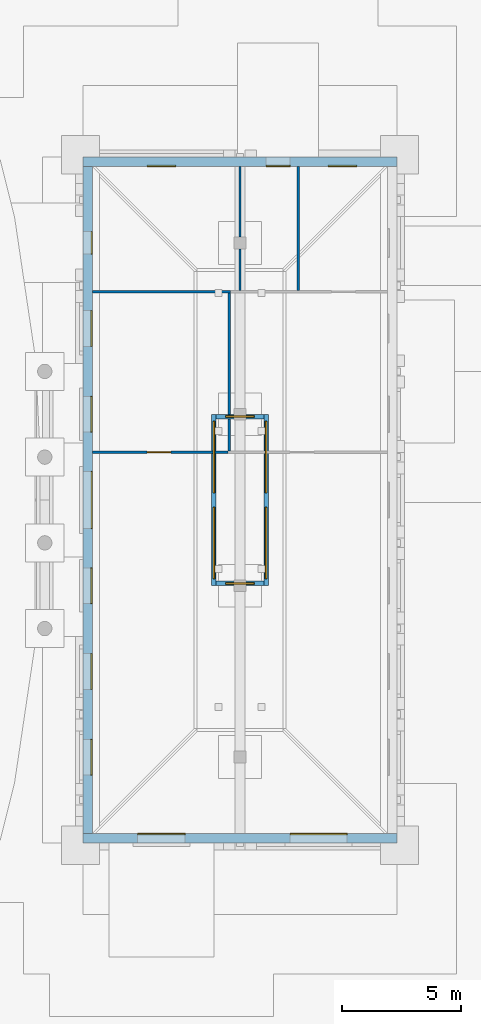
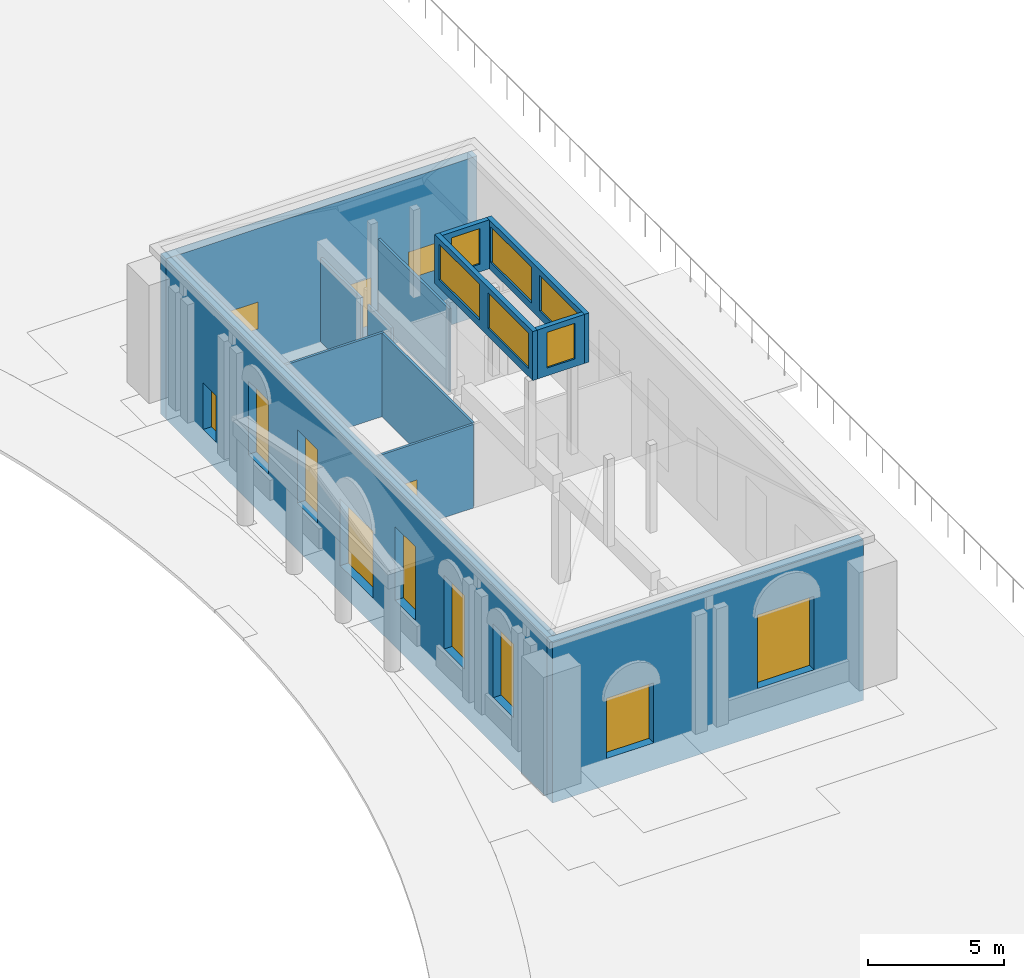
# One storey, part 96 of 131: 14 windows, 13 walls, 5 doors, 19 openings.
"""IFC4 building model written with IfcOpenShell, lengths in metres."""

from ifc_helpers import new_model, si_unit, direction, frame, frame_2d, origin, place, context, subcontext, project, spatial, rectangle, extrude, material, layer, layer_set, type_object, element, fill, save


model = new_model("IFC4")

# Units and contexts
model_context = context("Model", 3, precision=1e-05, world=origin(), true_north=direction((0.0, 1.0)))
body_context = subcontext(model_context, "Body", "Model", "MODEL_VIEW")
ifc_project = project(units=[si_unit("LENGTHUNIT", "METRE"), si_unit("AREAUNIT", "SQUARE_METRE"), si_unit("VOLUMEUNIT", "CUBIC_METRE"), si_unit("PLANEANGLEUNIT", "RADIAN"), si_unit("MASSUNIT", "GRAM", prefix="KILO")], contexts=[model_context])

# Site, building, storey
site_placement = place(None, origin())
site = spatial("IfcSite", under=ifc_project, at=site_placement, CompositionType="ELEMENT")
building_placement = place(site_placement, origin())
building = spatial("IfcBuilding", under=site, at=building_placement, Name="Alderwick Market Hall", CompositionType="ELEMENT")
storey_placement = place(building_placement, frame((0.0, 0.0, 4.800048828125)))
storey = spatial("IfcBuildingStorey", under=building, at=storey_placement, Name="L00", CompositionType="ELEMENT", Elevation=4.800048828125)

# Wall, openings, door, window
ifc_material_1 = material(Name="Concrete 5000 psi (f'c 35 MPa)", Category="concrete")
ifc_layer_1 = layer(ifc_material_1, 0.39990234375)
ifc_layer_set_1 = layer_set([ifc_layer_1], Name="Concrete 5000 psi (f'c 35 MPa)")
wall_type_1 = type_object("IfcWallType", Name="G Exterior wall 400", PredefinedType="SOLIDWALL", material=ifc_layer_set_1)
wall_1_placement = place(storey_placement, frame((214.800048828125, 65.0, -1.199951171875), z_axis=(0.0, 0.0, 1.0), x_axis=(1.0, 0.0, 0.0)))
wall_1 = element("IfcWall", 1, at=wall_1_placement, inside=storey, type_object=wall_type_1, Name="Exterior wall S", PredefinedType="SOLIDWALL", context=body_context, shape_type="SweptSolid", body=[
    extrude(rectangle(XDim=13.199951171875, YDim=0.39990234375, at=frame_2d((6.60009765625, 0.0))), origin(), (0.0, 0.0, 1.0), 7.199951171875),
])
opening_1_placement = place(wall_1_placement, frame((2.300048828125, 0.0, 1.199951171875)))
opening_1 = element("IfcOpeningElement", 2, at=opening_1_placement, cuts=wall_1, Name="Opening G-D002", PredefinedType="OPENING", context=body_context, shape_type="SweptSolid", body=[
    extrude(rectangle(XDim=2.0, YDim=2.699951171875, at=frame_2d((1.0, 1.35009765625))), frame((0.0, 0.2099609375, 0.0), z_axis=(0.0, -1.0, 0.0), x_axis=(1.0, 0.0, 0.0)), (0.0, 0.0, 1.0), 0.419921875),
])
opening_2_placement = place(wall_1_placement, frame((8.699951171875, 0.0, 2.10009765625)))
opening_2 = element("IfcOpeningElement", 3, at=opening_2_placement, cuts=wall_1, Name="Opening G-W012", PredefinedType="OPENING", context=body_context, shape_type="SweptSolid", body=[
    extrude(rectangle(XDim=2.39990234375, YDim=3.300048828125, at=frame_2d((1.199951171875, 1.64990234375))), frame((0.0, 0.2099609375, 0.0), z_axis=(0.0, -1.0, 0.0), x_axis=(1.0, 0.0, 0.0)), (0.0, 0.0, 1.0), 0.419921875),
])
ifc_material_2 = material(Name="Bronze-finished aluminium and glass", Category="aluminium")
door_type_1 = type_object("IfcDoorType", Name="G Entrance door 2000x2700", OperationType="DOUBLE_DOOR_SINGLE_SWING", PredefinedType="DOOR", material=ifc_material_2)
door_1_placement = place(opening_1_placement, origin())
door_1 = element("IfcDoor", 4, at=door_1_placement, inside=storey, type_object=door_type_1, Name="Door G-D002", OperationType="DOUBLE_DOOR_SINGLE_SWING", OverallHeight=2.699951171875, OverallWidth=2.0, PredefinedType="DOOR", context=body_context, shape_type="SweptSolid", body=[
    extrude(rectangle(XDim=2.0, YDim=2.699951171875, at=frame_2d((1.0, 1.35009765625))), frame((0.0, 0.2001953125, 0.0), z_axis=(0.0, -1.0, 0.0), x_axis=(1.0, 0.0, 0.0)), (0.0, 0.0, 1.0), 0.050048828125),
])
fill(opening_1, door_1)
ifc_material_3 = material(Name="Aluminium frame with insulated glass", Category="aluminium")
window_type_1 = type_object("IfcWindowType", Name="G Window 2400x3300", PartitioningType="SINGLE_PANEL", PredefinedType="WINDOW", material=ifc_material_3)
window_1_placement = place(opening_2_placement, origin())
window_1 = element("IfcWindow", 5, at=window_1_placement, inside=storey, type_object=window_type_1, Name="Window G-W012", OverallHeight=3.300048828125, OverallWidth=2.39990234375, PartitioningType="SINGLE_PANEL", PredefinedType="WINDOW", context=body_context, shape_type="SweptSolid", body=[
    extrude(rectangle(XDim=2.39990234375, YDim=3.300048828125, at=frame_2d((1.199951171875, 1.64990234375))), frame((0.0, 0.199951171875, 0.0), z_axis=(0.0, -1.0, 0.0), x_axis=(1.0, 0.0, 0.0)), (0.0, 0.0, 1.0), 0.06005859375),
])
fill(opening_2, window_1)

# Wall, openings, door, windows
wall_2_placement = place(storey_placement, frame((214.800048828125, 93.39990234375, -1.199951171875), z_axis=(0.0, 0.0, 1.0), x_axis=(1.0, 0.0, 0.0)))
wall_2 = element("IfcWall", 6, at=wall_2_placement, inside=storey, type_object=wall_type_1, Name="Exterior wall N", PredefinedType="SOLIDWALL", context=body_context, shape_type="SweptSolid", body=[
    extrude(rectangle(XDim=13.199951171875, YDim=0.39990234375, at=frame_2d((6.60009765625, 0.0))), origin(), (0.0, 0.0, 1.0), 7.199951171875),
])
opening_3_placement = place(wall_2_placement, frame((7.699951171875, 0.0, 1.199951171875)))
opening_3 = element("IfcOpeningElement", 7, at=opening_3_placement, cuts=wall_2, Name="Opening G-D005", PredefinedType="OPENING", context=body_context, shape_type="SweptSolid", body=[
    extrude(rectangle(XDim=1.0, YDim=2.10009765625, at=frame_2d((0.5, 1.050048828125))), frame((0.0, 0.2099609375, 0.0), z_axis=(0.0, -1.0, 0.0), x_axis=(1.0, 0.0, 0.0)), (0.0, 0.0, 1.0), 0.419921875),
])
opening_4_placement = place(wall_2_placement, frame((2.699951171875, 0.0, 2.699951171875)))
opening_4 = element("IfcOpeningElement", 8, at=opening_4_placement, cuts=wall_2, Name="Opening G-W013", PredefinedType="OPENING", context=body_context, shape_type="SweptSolid", body=[
    extrude(rectangle(XDim=1.199951171875, YDim=1.199951171875, at=frame_2d((0.60009765625, 0.60009765625))), frame((0.0, 0.2099609375, 0.0), z_axis=(0.0, -1.0, 0.0), x_axis=(1.0, 0.0, 0.0)), (0.0, 0.0, 1.0), 0.419921875),
])
opening_5_placement = place(wall_2_placement, frame((10.300048828125, 0.0, 2.699951171875)))
opening_5 = element("IfcOpeningElement", 9, at=opening_5_placement, cuts=wall_2, Name="Opening G-W014", PredefinedType="OPENING", context=body_context, shape_type="SweptSolid", body=[
    extrude(rectangle(XDim=1.199951171875, YDim=1.199951171875, at=frame_2d((0.60009765625, 0.60009765625))), frame((0.0, 0.2099609375, 0.0), z_axis=(0.0, -1.0, 0.0), x_axis=(1.0, 0.0, 0.0)), (0.0, 0.0, 1.0), 0.419921875),
])
ifc_material_4 = material(Name="Timber, solid core", Category="wood")
door_type_2 = type_object("IfcDoorType", Name="G Accessible WC door 1000x2100", OperationType="SINGLE_SWING_LEFT", PredefinedType="DOOR", material=ifc_material_4)
door_2_placement = place(opening_3_placement, origin())
door_2 = element("IfcDoor", 10, at=door_2_placement, inside=storey, type_object=door_type_2, Name="Door G-D005", OperationType="SINGLE_SWING_LEFT", OverallHeight=2.10009765625, OverallWidth=1.0, PredefinedType="DOOR", context=body_context, shape_type="SweptSolid", body=[
    extrude(rectangle(XDim=1.0, YDim=2.10009765625, at=frame_2d((0.5, 1.050048828125))), frame((0.0, -0.14990234375, 0.0), z_axis=(0.0, -1.0, 0.0), x_axis=(1.0, 0.0, 0.0)), (0.0, 0.0, 1.0), 0.050048828125),
])
fill(opening_3, door_2)
window_type_2 = type_object("IfcWindowType", Name="G Window 1200x1200", PartitioningType="SINGLE_PANEL", PredefinedType="WINDOW", material=ifc_material_3)
window_2_placement = place(opening_4_placement, origin())
window_2 = element("IfcWindow", 11, at=window_2_placement, inside=storey, type_object=window_type_2, Name="Window G-W013", OverallHeight=1.199951171875, OverallWidth=1.199951171875, PartitioningType="SINGLE_PANEL", PredefinedType="WINDOW", context=body_context, shape_type="SweptSolid", body=[
    extrude(rectangle(XDim=1.199951171875, YDim=1.199951171875, at=frame_2d((0.60009765625, 0.60009765625))), frame((0.0, -0.139892578125, 0.0), z_axis=(0.0, -1.0, 0.0), x_axis=(1.0, 0.0, 0.0)), (0.0, 0.0, 1.0), 0.06005859375),
])
fill(opening_4, window_2)
window_3_placement = place(opening_5_placement, origin())
window_3 = element("IfcWindow", 12, at=window_3_placement, inside=storey, type_object=window_type_2, Name="Window G-W014", OverallHeight=1.199951171875, OverallWidth=1.199951171875, PartitioningType="SINGLE_PANEL", PredefinedType="WINDOW", context=body_context, shape_type="SweptSolid", body=[
    extrude(rectangle(XDim=1.199951171875, YDim=1.199951171875, at=frame_2d((0.60009765625, 0.60009765625))), frame((0.0, -0.139892578125, 0.0), z_axis=(0.0, -1.0, 0.0), x_axis=(1.0, 0.0, 0.0)), (0.0, 0.0, 1.0), 0.06005859375),
])
fill(opening_5, window_3)

# Wall, openings, doors, windows
wall_3_placement = place(storey_placement, frame((215.0, 65.199951171875, -1.199951171875), z_axis=(0.0, 0.0, 1.0), x_axis=(0.0, 1.0, 0.0)))
wall_3 = element("IfcWall", 13, at=wall_3_placement, inside=storey, type_object=wall_type_1, Name="Exterior wall W", PredefinedType="SOLIDWALL", context=body_context, shape_type="SweptSolid", body=[
    extrude(rectangle(XDim=28.0, YDim=0.39990234375, at=frame_2d((14.0, 0.0))), origin(), (0.0, 0.0, 1.0), 7.199951171875),
])
opening_6_placement = place(wall_3_placement, frame((12.800048828125, 0.0, 1.199951171875)))
opening_6 = element("IfcOpeningElement", 14, at=opening_6_placement, cuts=wall_3, Name="Opening G-D001", PredefinedType="OPENING", context=body_context, shape_type="SweptSolid", body=[
    extrude(rectangle(XDim=2.39990234375, YDim=3.0, at=frame_2d((1.199951171875, 1.5))), frame((0.0, 0.2099609375, 0.0), z_axis=(0.0, -1.0, 0.0), x_axis=(1.0, 0.0, 0.0)), (0.0, 0.0, 1.0), 0.419921875),
])
opening_7_placement = place(wall_3_placement, frame((24.324951171875, 0.0, 1.199951171875)))
opening_7 = element("IfcOpeningElement", 15, at=opening_7_placement, cuts=wall_3, Name="Opening G-D003", PredefinedType="OPENING", context=body_context, shape_type="SweptSolid", body=[
    extrude(rectangle(XDim=0.949951171875, YDim=2.10009765625, at=frame_2d((0.47509765625, 1.050048828125))), frame((0.0, 0.2099609375, 0.0), z_axis=(0.0, -1.0, 0.0), x_axis=(1.0, 0.0, 0.0)), (0.0, 0.0, 1.0), 0.419921875),
])
opening_8_placement = place(wall_3_placement, frame((2.449951171875, 0.0, 2.10009765625)))
opening_8 = element("IfcOpeningElement", 16, at=opening_8_placement, cuts=wall_3, Name="Opening G-W001", PredefinedType="OPENING", context=body_context, shape_type="SweptSolid", body=[
    extrude(rectangle(XDim=1.5, YDim=3.300048828125, at=frame_2d((0.75, 1.64990234375))), frame((0.0, 0.2099609375, 0.0), z_axis=(0.0, -1.0, 0.0), x_axis=(1.0, 0.0, 0.0)), (0.0, 0.0, 1.0), 0.419921875),
])
opening_9_placement = place(wall_3_placement, frame((6.050048828125, 0.0, 2.10009765625)))
opening_9 = element("IfcOpeningElement", 17, at=opening_9_placement, cuts=wall_3, Name="Opening G-W002", PredefinedType="OPENING", context=body_context, shape_type="SweptSolid", body=[
    extrude(rectangle(XDim=1.5, YDim=3.300048828125, at=frame_2d((0.75, 1.64990234375))), frame((0.0, 0.2099609375, 0.0), z_axis=(0.0, -1.0, 0.0), x_axis=(1.0, 0.0, 0.0)), (0.0, 0.0, 1.0), 0.419921875),
])
opening_10_placement = place(wall_3_placement, frame((9.64990234375, 0.0, 2.10009765625)))
opening_10 = element("IfcOpeningElement", 18, at=opening_10_placement, cuts=wall_3, Name="Opening G-W003", PredefinedType="OPENING", context=body_context, shape_type="SweptSolid", body=[
    extrude(rectangle(XDim=1.5, YDim=3.300048828125, at=frame_2d((0.75, 1.64990234375))), frame((0.0, 0.2099609375, 0.0), z_axis=(0.0, -1.0, 0.0), x_axis=(1.0, 0.0, 0.0)), (0.0, 0.0, 1.0), 0.419921875),
])
opening_11_placement = place(wall_3_placement, frame((16.85009765625, 0.0, 2.10009765625)))
opening_11 = element("IfcOpeningElement", 19, at=opening_11_placement, cuts=wall_3, Name="Opening G-W004", PredefinedType="OPENING", context=body_context, shape_type="SweptSolid", body=[
    extrude(rectangle(XDim=1.5, YDim=3.300048828125, at=frame_2d((0.75, 1.64990234375))), frame((0.0, 0.2099609375, 0.0), z_axis=(0.0, -1.0, 0.0), x_axis=(1.0, 0.0, 0.0)), (0.0, 0.0, 1.0), 0.419921875),
])
opening_12_placement = place(wall_3_placement, frame((20.449951171875, 0.0, 2.10009765625)))
opening_12 = element("IfcOpeningElement", 20, at=opening_12_placement, cuts=wall_3, Name="Opening G-W005", PredefinedType="OPENING", context=body_context, shape_type="SweptSolid", body=[
    extrude(rectangle(XDim=1.5, YDim=3.300048828125, at=frame_2d((0.75, 1.64990234375))), frame((0.0, 0.2099609375, 0.0), z_axis=(0.0, -1.0, 0.0), x_axis=(1.0, 0.0, 0.0)), (0.0, 0.0, 1.0), 0.419921875),
])
door_type_3 = type_object("IfcDoorType", Name="G Entrance door 2400x3000", OperationType="DOUBLE_DOOR_SINGLE_SWING", PredefinedType="DOOR", material=ifc_material_2)
door_3_placement = place(opening_6_placement, origin())
door_3 = element("IfcDoor", 21, at=door_3_placement, inside=storey, type_object=door_type_3, Name="Door G-D001", OperationType="DOUBLE_DOOR_SINGLE_SWING", OverallHeight=3.0, OverallWidth=2.39990234375, PredefinedType="DOOR", context=body_context, shape_type="SweptSolid", body=[
    extrude(rectangle(XDim=2.39990234375, YDim=3.0, at=frame_2d((1.199951171875, 1.5))), frame((0.0, -0.14990234375, 0.0), z_axis=(0.0, -1.0, 0.0), x_axis=(1.0, 0.0, 0.0)), (0.0, 0.0, 1.0), 0.050048828125),
])
fill(opening_6, door_3)
door_type_4 = type_object("IfcDoorType", Name="G WC door 950x2100", OperationType="SINGLE_SWING_LEFT", PredefinedType="DOOR", material=ifc_material_4)
door_4_placement = place(opening_7_placement, origin())
door_4 = element("IfcDoor", 22, at=door_4_placement, inside=storey, type_object=door_type_4, Name="Door G-D003", OperationType="SINGLE_SWING_LEFT", OverallHeight=2.10009765625, OverallWidth=0.949951171875, PredefinedType="DOOR", context=body_context, shape_type="SweptSolid", body=[
    extrude(rectangle(XDim=0.949951171875, YDim=2.10009765625, at=frame_2d((0.47509765625, 1.050048828125))), frame((0.0, -0.14990234375, 0.0), z_axis=(0.0, -1.0, 0.0), x_axis=(1.0, 0.0, 0.0)), (0.0, 0.0, 1.0), 0.050048828125),
])
fill(opening_7, door_4)
window_type_3 = type_object("IfcWindowType", Name="G Window 1500x3300", PartitioningType="SINGLE_PANEL", PredefinedType="WINDOW", material=ifc_material_3)
window_4_placement = place(opening_8_placement, origin())
window_4 = element("IfcWindow", 23, at=window_4_placement, inside=storey, type_object=window_type_3, Name="Window G-W001", OverallHeight=3.300048828125, OverallWidth=1.5, PartitioningType="SINGLE_PANEL", PredefinedType="WINDOW", context=body_context, shape_type="SweptSolid", body=[
    extrude(rectangle(XDim=1.5, YDim=3.300048828125, at=frame_2d((0.75, 1.64990234375))), frame((0.0, -0.139892578125, 0.0), z_axis=(0.0, -1.0, 0.0), x_axis=(1.0, 0.0, 0.0)), (0.0, 0.0, 1.0), 0.06005859375),
])
fill(opening_8, window_4)
window_5_placement = place(opening_9_placement, origin())
window_5 = element("IfcWindow", 24, at=window_5_placement, inside=storey, type_object=window_type_3, Name="Window G-W002", OverallHeight=3.300048828125, OverallWidth=1.5, PartitioningType="SINGLE_PANEL", PredefinedType="WINDOW", context=body_context, shape_type="SweptSolid", body=[
    extrude(rectangle(XDim=1.5, YDim=3.300048828125, at=frame_2d((0.75, 1.64990234375))), frame((0.0, -0.139892578125, 0.0), z_axis=(0.0, -1.0, 0.0), x_axis=(1.0, 0.0, 0.0)), (0.0, 0.0, 1.0), 0.06005859375),
])
fill(opening_9, window_5)
window_6_placement = place(opening_10_placement, origin())
window_6 = element("IfcWindow", 25, at=window_6_placement, inside=storey, type_object=window_type_3, Name="Window G-W003", OverallHeight=3.300048828125, OverallWidth=1.5, PartitioningType="SINGLE_PANEL", PredefinedType="WINDOW", context=body_context, shape_type="SweptSolid", body=[
    extrude(rectangle(XDim=1.5, YDim=3.300048828125, at=frame_2d((0.75, 1.64990234375))), frame((0.0, -0.139892578125, 0.0), z_axis=(0.0, -1.0, 0.0), x_axis=(1.0, 0.0, 0.0)), (0.0, 0.0, 1.0), 0.06005859375),
])
fill(opening_10, window_6)
window_7_placement = place(opening_11_placement, origin())
window_7 = element("IfcWindow", 26, at=window_7_placement, inside=storey, type_object=window_type_3, Name="Window G-W004", OverallHeight=3.300048828125, OverallWidth=1.5, PartitioningType="SINGLE_PANEL", PredefinedType="WINDOW", context=body_context, shape_type="SweptSolid", body=[
    extrude(rectangle(XDim=1.5, YDim=3.300048828125, at=frame_2d((0.75, 1.64990234375))), frame((0.0, -0.139892578125, 0.0), z_axis=(0.0, -1.0, 0.0), x_axis=(1.0, 0.0, 0.0)), (0.0, 0.0, 1.0), 0.06005859375),
])
fill(opening_11, window_7)
window_8_placement = place(opening_12_placement, origin())
window_8 = element("IfcWindow", 27, at=window_8_placement, inside=storey, type_object=window_type_3, Name="Window G-W005", OverallHeight=3.300048828125, OverallWidth=1.5, PartitioningType="SINGLE_PANEL", PredefinedType="WINDOW", context=body_context, shape_type="SweptSolid", body=[
    extrude(rectangle(XDim=1.5, YDim=3.300048828125, at=frame_2d((0.75, 1.64990234375))), frame((0.0, -0.139892578125, 0.0), z_axis=(0.0, -1.0, 0.0), x_axis=(1.0, 0.0, 0.0)), (0.0, 0.0, 1.0), 0.06005859375),
])
fill(opening_12, window_8)

# Walls
ifc_material_5 = material(Name="Gypsum board partition, fire-rated")
ifc_layer_2 = layer(ifc_material_5, 0.10009765625)
ifc_layer_set_2 = layer_set([ifc_layer_2], Name="Gypsum board partition, fire-rated")
wall_type_2 = type_object("IfcWallType", Name="G Fire-rated partition 100", PredefinedType="PARTITIONING", material=ifc_layer_set_2)
wall_4_placement = place(storey_placement, frame((220.949951171875, 81.25, 0.0), z_axis=(0.0, 0.0, 1.0), x_axis=(0.0, 1.0, 0.0)))
element("IfcWall", 28, at=wall_4_placement, inside=storey, type_object=wall_type_2, Name="Partition", PredefinedType="PARTITIONING", context=body_context, shape_type="SweptSolid", body=[
    extrude(rectangle(XDim=6.64990234375, YDim=0.10009765625, at=frame_2d((3.324951171875, 0.0))), origin(), (0.0, 0.0, 1.0), 3.75),
])
wall_5_placement = place(storey_placement, frame((223.85009765625, 88.0, 0.0), z_axis=(0.0, 0.0, 1.0), x_axis=(0.0, 1.0, 0.0)))
element("IfcWall", 29, at=wall_5_placement, inside=storey, type_object=wall_type_2, Name="Partition", PredefinedType="PARTITIONING", context=body_context, shape_type="SweptSolid", body=[
    extrude(rectangle(XDim=5.199951171875, YDim=0.10009765625, at=frame_2d((2.60009765625, 0.0))), origin(), (0.0, 0.0, 1.0), 3.75),
])

# Wall, openings, windows
ifc_layer_3 = layer(ifc_material_1, 0.199951171875)
ifc_layer_set_3 = layer_set([ifc_layer_3], Name="Concrete 5000 psi (f'c 35 MPa)")
wall_type_3 = type_object("IfcWallType", Name="G Lantern wall 200", PredefinedType="SOLIDWALL", material=ifc_layer_set_3)
wall_6_placement = place(storey_placement, frame((220.300048828125, 75.60009765625, 9.3212890625), z_axis=(0.0, 0.0, 1.0), x_axis=(0.0, 1.0, 0.0)))
wall_6 = element("IfcWall", 30, at=wall_6_placement, inside=storey, type_object=wall_type_3, Name="Lantern wall 1", PredefinedType="SOLIDWALL", context=body_context, shape_type="SweptSolid", body=[
    extrude(rectangle(XDim=7.199951171875, YDim=0.199951171875, at=frame_2d((3.60009765625, 0.0))), origin(), (0.0, 0.0, 1.0), 2.199951171875),
])
opening_13_placement = place(wall_6_placement, frame((0.300048828125, 0.0, 0.35009765625)))
opening_13 = element("IfcOpeningElement", 31, at=opening_13_placement, cuts=wall_6, Name="Opening G-W015", PredefinedType="OPENING", context=body_context, shape_type="SweptSolid", body=[
    extrude(rectangle(XDim=3.0, YDim=1.60009765625, at=frame_2d((1.5, 0.800048828125))), frame((0.0, 0.10986328125, 0.0), z_axis=(0.0, -1.0, 0.0), x_axis=(1.0, 0.0, 0.0)), (0.0, 0.0, 1.0), 0.219970703125),
])
opening_14_placement = place(wall_6_placement, frame((3.89990234375, 0.0, 0.35009765625)))
opening_14 = element("IfcOpeningElement", 32, at=opening_14_placement, cuts=wall_6, Name="Opening G-W016", PredefinedType="OPENING", context=body_context, shape_type="SweptSolid", body=[
    extrude(rectangle(XDim=3.0, YDim=1.60009765625, at=frame_2d((1.5, 0.800048828125))), frame((0.0, 0.10986328125, 0.0), z_axis=(0.0, -1.0, 0.0), x_axis=(1.0, 0.0, 0.0)), (0.0, 0.0, 1.0), 0.219970703125),
])
window_type_4 = type_object("IfcWindowType", Name="G Lantern window 3000x1600", PartitioningType="SINGLE_PANEL", PredefinedType="WINDOW", material=ifc_material_3)
window_9_placement = place(opening_13_placement, origin())
window_9 = element("IfcWindow", 33, at=window_9_placement, inside=storey, type_object=window_type_4, Name="Window G-W015", OverallHeight=1.60009765625, OverallWidth=3.0, PartitioningType="SINGLE_PANEL", PredefinedType="WINDOW", context=body_context, shape_type="SweptSolid", body=[
    extrude(rectangle(XDim=3.0, YDim=1.60009765625, at=frame_2d((1.5, 0.800048828125))), frame((0.0, 0.030029296875, 0.0), z_axis=(0.0, -1.0, 0.0), x_axis=(1.0, 0.0, 0.0)), (0.0, 0.0, 1.0), 0.06005859375),
])
fill(opening_13, window_9)
window_10_placement = place(opening_14_placement, origin())
window_10 = element("IfcWindow", 34, at=window_10_placement, inside=storey, type_object=window_type_4, Name="Window G-W016", OverallHeight=1.60009765625, OverallWidth=3.0, PartitioningType="SINGLE_PANEL", PredefinedType="WINDOW", context=body_context, shape_type="SweptSolid", body=[
    extrude(rectangle(XDim=3.0, YDim=1.60009765625, at=frame_2d((1.5, 0.800048828125))), frame((0.0, 0.030029296875, 0.0), z_axis=(0.0, -1.0, 0.0), x_axis=(1.0, 0.0, 0.0)), (0.0, 0.0, 1.0), 0.06005859375),
])
fill(opening_14, window_10)

wall_7_placement = place(storey_placement, frame((222.5, 75.60009765625, 9.3212890625), z_axis=(0.0, 0.0, 1.0), x_axis=(0.0, 1.0, 0.0)))
wall_7 = element("IfcWall", 35, at=wall_7_placement, inside=storey, type_object=wall_type_3, Name="Lantern wall 2", PredefinedType="SOLIDWALL", context=body_context, shape_type="SweptSolid", body=[
    extrude(rectangle(XDim=7.199951171875, YDim=0.199951171875, at=frame_2d((3.60009765625, 0.0))), origin(), (0.0, 0.0, 1.0), 2.199951171875),
])
opening_15_placement = place(wall_7_placement, frame((0.300048828125, 0.0, 0.35009765625)))
opening_15 = element("IfcOpeningElement", 36, at=opening_15_placement, cuts=wall_7, Name="Opening G-W017", PredefinedType="OPENING", context=body_context, shape_type="SweptSolid", body=[
    extrude(rectangle(XDim=3.0, YDim=1.60009765625, at=frame_2d((1.5, 0.800048828125))), frame((0.0, 0.10986328125, 0.0), z_axis=(0.0, -1.0, 0.0), x_axis=(1.0, 0.0, 0.0)), (0.0, 0.0, 1.0), 0.219970703125),
])
opening_16_placement = place(wall_7_placement, frame((3.89990234375, 0.0, 0.35009765625)))
opening_16 = element("IfcOpeningElement", 37, at=opening_16_placement, cuts=wall_7, Name="Opening G-W018", PredefinedType="OPENING", context=body_context, shape_type="SweptSolid", body=[
    extrude(rectangle(XDim=3.0, YDim=1.60009765625, at=frame_2d((1.5, 0.800048828125))), frame((0.0, 0.10986328125, 0.0), z_axis=(0.0, -1.0, 0.0), x_axis=(1.0, 0.0, 0.0)), (0.0, 0.0, 1.0), 0.219970703125),
])
window_11_placement = place(opening_15_placement, origin())
window_11 = element("IfcWindow", 38, at=window_11_placement, inside=storey, type_object=window_type_4, Name="Window G-W017", OverallHeight=1.60009765625, OverallWidth=3.0, PartitioningType="SINGLE_PANEL", PredefinedType="WINDOW", context=body_context, shape_type="SweptSolid", body=[
    extrude(rectangle(XDim=3.0, YDim=1.60009765625, at=frame_2d((1.5, 0.800048828125))), frame((0.0, 0.030029296875, 0.0), z_axis=(0.0, -1.0, 0.0), x_axis=(1.0, 0.0, 0.0)), (0.0, 0.0, 1.0), 0.06005859375),
])
fill(opening_15, window_11)
window_12_placement = place(opening_16_placement, origin())
window_12 = element("IfcWindow", 39, at=window_12_placement, inside=storey, type_object=window_type_4, Name="Window G-W018", OverallHeight=1.60009765625, OverallWidth=3.0, PartitioningType="SINGLE_PANEL", PredefinedType="WINDOW", context=body_context, shape_type="SweptSolid", body=[
    extrude(rectangle(XDim=3.0, YDim=1.60009765625, at=frame_2d((1.5, 0.800048828125))), frame((0.0, 0.030029296875, 0.0), z_axis=(0.0, -1.0, 0.0), x_axis=(1.0, 0.0, 0.0)), (0.0, 0.0, 1.0), 0.06005859375),
])
fill(opening_16, window_12)

# Wall, opening, window
wall_8_placement = place(storey_placement, frame((220.39990234375, 75.699951171875, 9.3212890625), z_axis=(0.0, 0.0, 1.0), x_axis=(1.0, 0.0, 0.0)))
wall_8 = element("IfcWall", 40, at=wall_8_placement, inside=storey, type_object=wall_type_3, Name="Lantern wall 3", PredefinedType="SOLIDWALL", context=body_context, shape_type="SweptSolid", body=[
    extrude(rectangle(XDim=2.0, YDim=0.199951171875, at=frame_2d((1.0, 0.0))), origin(), (0.0, 0.0, 1.0), 2.199951171875),
])
opening_17_placement = place(wall_8_placement, frame((0.39990234375, 0.0, 0.35009765625)))
opening_17 = element("IfcOpeningElement", 41, at=opening_17_placement, cuts=wall_8, Name="Opening G-W019", PredefinedType="OPENING", context=body_context, shape_type="SweptSolid", body=[
    extrude(rectangle(XDim=1.199951171875, YDim=1.60009765625, at=frame_2d((0.60009765625, 0.800048828125))), frame((0.0, 0.10986328125, 0.0), z_axis=(0.0, -1.0, 0.0), x_axis=(1.0, 0.0, 0.0)), (0.0, 0.0, 1.0), 0.219970703125),
])
window_type_5 = type_object("IfcWindowType", Name="G Lantern window 1200x1600", PartitioningType="SINGLE_PANEL", PredefinedType="WINDOW", material=ifc_material_3)
window_13_placement = place(opening_17_placement, origin())
window_13 = element("IfcWindow", 42, at=window_13_placement, inside=storey, type_object=window_type_5, Name="Window G-W019", OverallHeight=1.60009765625, OverallWidth=1.199951171875, PartitioningType="SINGLE_PANEL", PredefinedType="WINDOW", context=body_context, shape_type="SweptSolid", body=[
    extrude(rectangle(XDim=1.199951171875, YDim=1.60009765625, at=frame_2d((0.60009765625, 0.800048828125))), frame((0.0, 0.030029296875, 0.0), z_axis=(0.0, -1.0, 0.0), x_axis=(1.0, 0.0, 0.0)), (0.0, 0.0, 1.0), 0.06005859375),
])
fill(opening_17, window_13)

wall_9_placement = place(storey_placement, frame((220.39990234375, 82.699951171875, 9.3212890625), z_axis=(0.0, 0.0, 1.0), x_axis=(1.0, 0.0, 0.0)))
wall_9 = element("IfcWall", 43, at=wall_9_placement, inside=storey, type_object=wall_type_3, Name="Lantern wall 4", PredefinedType="SOLIDWALL", context=body_context, shape_type="SweptSolid", body=[
    extrude(rectangle(XDim=2.0, YDim=0.199951171875, at=frame_2d((1.0, 0.0))), origin(), (0.0, 0.0, 1.0), 2.199951171875),
])
opening_18_placement = place(wall_9_placement, frame((0.39990234375, 0.0, 0.35009765625)))
opening_18 = element("IfcOpeningElement", 44, at=opening_18_placement, cuts=wall_9, Name="Opening G-W020", PredefinedType="OPENING", context=body_context, shape_type="SweptSolid", body=[
    extrude(rectangle(XDim=1.199951171875, YDim=1.60009765625, at=frame_2d((0.60009765625, 0.800048828125))), frame((0.0, 0.10986328125, 0.0), z_axis=(0.0, -1.0, 0.0), x_axis=(1.0, 0.0, 0.0)), (0.0, 0.0, 1.0), 0.219970703125),
])
window_14_placement = place(opening_18_placement, origin())
window_14 = element("IfcWindow", 45, at=window_14_placement, inside=storey, type_object=window_type_5, Name="Window G-W020", OverallHeight=1.60009765625, OverallWidth=1.199951171875, PartitioningType="SINGLE_PANEL", PredefinedType="WINDOW", context=body_context, shape_type="SweptSolid", body=[
    extrude(rectangle(XDim=1.199951171875, YDim=1.60009765625, at=frame_2d((0.60009765625, 0.800048828125))), frame((0.0, 0.030029296875, 0.0), z_axis=(0.0, -1.0, 0.0), x_axis=(1.0, 0.0, 0.0)), (0.0, 0.0, 1.0), 0.06005859375),
])
fill(opening_18, window_14)

# Wall, opening, door
ifc_material_6 = material(Name="Gypsum board partition")
ifc_layer_4 = layer(ifc_material_6, 0.10009765625)
ifc_layer_set_4 = layer_set([ifc_layer_4], Name="Gypsum board partition")
wall_type_4 = type_object("IfcWallType", Name="G Partition 100", PredefinedType="PARTITIONING", material=ifc_layer_set_4)
wall_10_placement = place(storey_placement, frame((215.199951171875, 81.199951171875, 0.0), z_axis=(0.0, 0.0, 1.0), x_axis=(1.0, 0.0, 0.0)))
wall_10 = element("IfcWall", 46, at=wall_10_placement, inside=storey, type_object=wall_type_4, Name="Partition", PredefinedType="PARTITIONING", context=body_context, shape_type="SweptSolid", body=[
    extrude(rectangle(XDim=5.699951171875, YDim=0.10009765625, at=frame_2d((2.85009765625, 0.0))), origin(), (0.0, 0.0, 1.0), 3.75),
])
opening_19_placement = place(wall_10_placement, frame((2.300048828125, 0.0, 0.0)))
opening_19 = element("IfcOpeningElement", 47, at=opening_19_placement, cuts=wall_10, Name="Opening G-D006", PredefinedType="OPENING", context=body_context, shape_type="SweptSolid", body=[
    extrude(rectangle(XDim=1.0, YDim=2.10009765625, at=frame_2d((0.5, 1.050048828125))), frame((0.0, 0.06005859375, 0.0), z_axis=(0.0, -1.0, 0.0), x_axis=(1.0, 0.0, 0.0)), (0.0, 0.0, 1.0), 0.1201171875),
])
ifc_material_7 = material(Name="Timber and glass", Category="wood")
door_type_5 = type_object("IfcDoorType", Name="G Room door 1000x2100", OperationType="SINGLE_SWING_LEFT", PredefinedType="DOOR", material=ifc_material_7)
door_5_placement = place(opening_19_placement, origin())
door_5 = element("IfcDoor", 48, at=door_5_placement, inside=storey, type_object=door_type_5, Name="Door G-D006", OperationType="SINGLE_SWING_LEFT", OverallHeight=2.10009765625, OverallWidth=1.0, PredefinedType="DOOR", context=body_context, shape_type="SweptSolid", body=[
    extrude(rectangle(XDim=1.0, YDim=2.10009765625, at=frame_2d((0.5, 1.050048828125))), frame((0.0, 0.02490234375, 0.0), z_axis=(0.0, -1.0, 0.0), x_axis=(1.0, 0.0, 0.0)), (0.0, 0.0, 1.0), 0.050048828125),
])
fill(opening_19, door_5)

# Walls
wall_11_placement = place(storey_placement, frame((215.199951171875, 87.949951171875, 0.0), z_axis=(0.0, 0.0, 1.0), x_axis=(1.0, 0.0, 0.0)))
element("IfcWall", 49, at=wall_11_placement, inside=storey, type_object=wall_type_4, Name="Partition", PredefinedType="PARTITIONING", context=body_context, shape_type="SweptSolid", body=[
    extrude(rectangle(XDim=5.800048828125, YDim=0.10009765625, at=frame_2d((2.89990234375, 0.0))), origin(), (0.0, 0.0, 1.0), 3.75),
])
wall_12_placement = place(storey_placement, frame((221.39990234375, 88.0, 0.0), z_axis=(0.0, 0.0, 1.0), x_axis=(0.0, 1.0, 0.0)))
element("IfcWall", 50, at=wall_12_placement, inside=storey, type_object=wall_type_4, Name="Partition", PredefinedType="PARTITIONING", context=body_context, shape_type="SweptSolid", body=[
    extrude(rectangle(XDim=1.75, YDim=0.10009765625, at=frame_2d((0.875, 0.0))), origin(), (0.0, 0.0, 1.0), 3.75),
])
wall_13_placement = place(storey_placement, frame((221.39990234375, 90.25, 0.0), z_axis=(0.0, 0.0, 1.0), x_axis=(0.0, 1.0, 0.0)))
element("IfcWall", 51, at=wall_13_placement, inside=storey, type_object=wall_type_4, Name="Partition", PredefinedType="PARTITIONING", context=body_context, shape_type="SweptSolid", body=[
    extrude(rectangle(XDim=2.949951171875, YDim=0.10009765625, at=frame_2d((1.47509765625, 0.0))), origin(), (0.0, 0.0, 1.0), 3.75),
])

save(model, "model.ifc")
